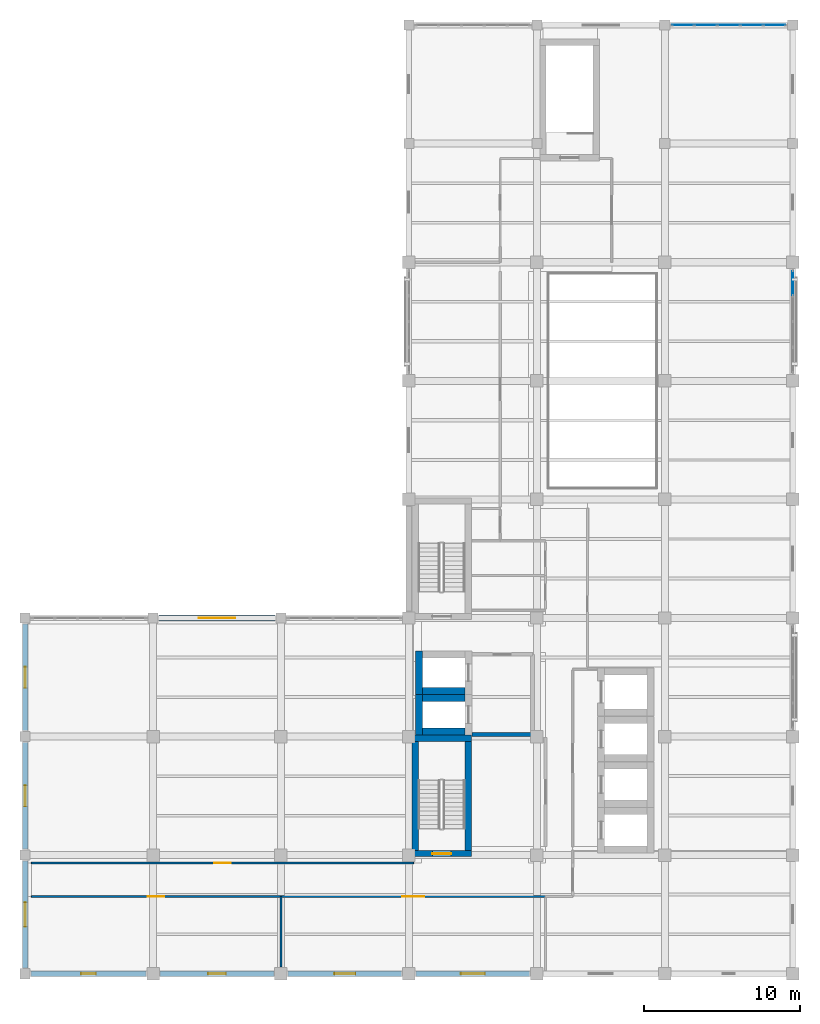
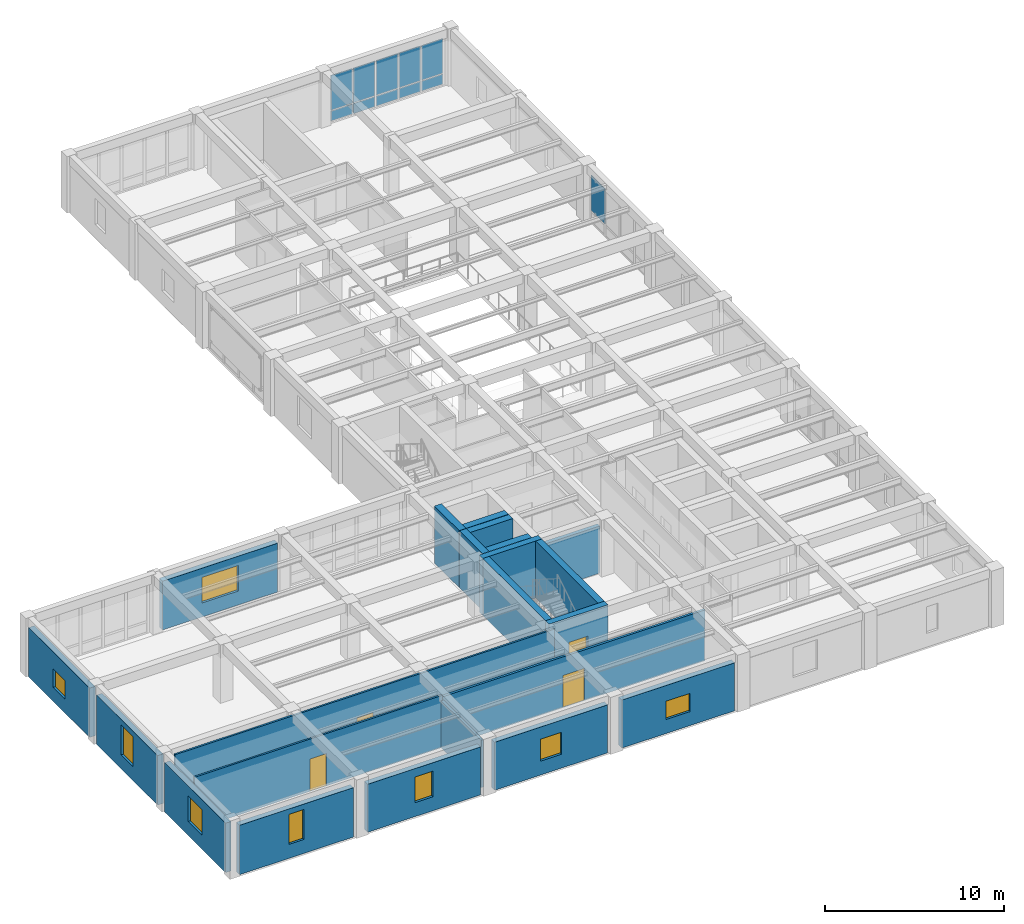
# One storey, part 7 of 15: 22 walls, 11 plates, 8 windows, 4 doors, 12 openings, 2 elements without a shape of their own.
"""IFC4 building model written with IfcOpenShell, lengths in metres."""

from ifc_helpers import new_model, si_unit, direction, frame, frame_2d, origin, origin_2d, place, context, subcontext, project, spatial, rectangle, extrude, material, layer, layer_set, type_object, element, fill, aggregate, save


model = new_model("IFC4")

# Units and contexts
model_context = context("Model", 3, precision=1e-05, world=origin(), true_north=direction((0.0, 1.0)))
body_context = subcontext(model_context, "Body", "Model", "MODEL_VIEW")
ifc_project = project(units=[si_unit("LENGTHUNIT", "METRE"), si_unit("AREAUNIT", "SQUARE_METRE"), si_unit("VOLUMEUNIT", "CUBIC_METRE"), si_unit("PLANEANGLEUNIT", "RADIAN"), si_unit("MASSUNIT", "GRAM", prefix="KILO")], contexts=[model_context])

# Site, building, storey
site_placement = place(None, origin())
site = spatial("IfcSite", under=ifc_project, at=site_placement, CompositionType="ELEMENT")
building_placement = place(site_placement, origin())
building = spatial("IfcBuilding", under=site, at=building_placement, Name="Qandaris Square Conservatory and Botanical Centre", CompositionType="ELEMENT")
storey_placement = place(building_placement, frame((0.0, 0.0, 32.39990234375)))
storey = spatial("IfcBuildingStorey", under=building, at=storey_placement, Name="L07", CompositionType="ELEMENT", Elevation=32.39990234375)

# Curtain wall, plate
ifc_material_1 = material(Name="Anodised Aluminium", Category="aluminium")
curtain_wall_type_1 = type_object("IfcCurtainWallType", Name="Unitised Curtain Wall CW-4-660x329", PredefinedType="USERDEFINED", material=ifc_material_1)
curtain_wall_1_placement = place(storey_placement, origin())
curtain_wall_1 = element("IfcCurtainWall", 1, at=curtain_wall_1_placement, inside=storey, type_object=curtain_wall_type_1, Name="Curtain Wall CW-TWR-L07-2-6", ObjectType="GLAZED CURTAIN WALL", PredefinedType="USERDEFINED")
ifc_material_2 = material(Name="Tempered Low-E Glass", Category="glass")
ifc_layer_1 = layer(ifc_material_2, 0.035888671875)
ifc_layer_set_1 = layer_set([ifc_layer_1], Name="Tempered Low-E Glass")
plate_type = type_object("IfcPlateType", Name="Double-Glazed Solar Control Vision Unit 36mm", PredefinedType="CURTAIN_PANEL", material=ifc_layer_set_1)
plate_1_placement = place(storey_placement, frame((163.800048828125, 60.858642578125, 0.822265625), z_axis=(0.0, 0.0, 1.0), x_axis=(0.0, 1.0, 0.0)))
plate_1 = element("IfcPlate", 2, at=plate_1_placement, type_object=plate_type, Name="CW-4-660x329 panel 4.2", PredefinedType="CURTAIN_PANEL", context=body_context, shape_type="SweptSolid", body=[
    extrude(rectangle(XDim=1.552490234375, YDim=0.035888671875, at=origin_2d()), origin(), (0.0, 0.0, 1.0), 2.40283203125),
])
aggregate(curtain_wall_1, [plate_1])

# Curtain wall, plates
curtain_wall_type_2 = type_object("IfcCurtainWallType", Name="Unitised Curtain Wall CW-3-735x324", PredefinedType="USERDEFINED", material=ifc_material_1)
curtain_wall_2_placement = place(storey_placement, origin())
curtain_wall_2 = element("IfcCurtainWall", 3, at=curtain_wall_2_placement, inside=storey, type_object=curtain_wall_type_2, Name="Curtain Wall CW-TWR-L07-3-1", ObjectType="GLAZED CURTAIN WALL", PredefinedType="USERDEFINED")
plate_2_placement = place(storey_placement, frame((162.623779296875, 77.39990234375, 0.06494140625), z_axis=(0.0, 0.0, 1.0), x_axis=(-1.0, 0.0, 0.0)))
plate_2 = element("IfcPlate", 4, at=plate_2_placement, type_object=plate_type, Name="CW-3-735x324 panel 1.1", PredefinedType="CURTAIN_PANEL", context=body_context, shape_type="SweptSolid", body=[
    extrude(rectangle(XDim=1.37255859375, YDim=0.035888671875, at=origin_2d()), origin(), (0.0, 0.0, 1.0), 0.68017578125),
])
plate_3_placement = place(storey_placement, frame((162.623779296875, 77.39990234375, 0.81005859375), z_axis=(0.0, 0.0, 1.0), x_axis=(-1.0, 0.0, 0.0)))
plate_3 = element("IfcPlate", 5, at=plate_3_placement, type_object=plate_type, Name="CW-3-735x324 panel 1.2", PredefinedType="CURTAIN_PANEL", context=body_context, shape_type="SweptSolid", body=[
    extrude(rectangle(XDim=1.37255859375, YDim=0.035888671875, at=origin_2d()), origin(), (0.0, 0.0, 1.0), 2.364990234375),
])
plate_4_placement = place(storey_placement, frame((161.169921875, 77.39990234375, 0.06494140625), z_axis=(0.0, 0.0, 1.0), x_axis=(-1.0, 0.0, 0.0)))
plate_4 = element("IfcPlate", 6, at=plate_4_placement, type_object=plate_type, Name="CW-3-735x324 panel 2.1", PredefinedType="CURTAIN_PANEL", context=body_context, shape_type="SweptSolid", body=[
    extrude(rectangle(XDim=1.405029296875, YDim=0.035888671875, at=origin_2d()), origin(), (0.0, 0.0, 1.0), 0.68017578125),
])
plate_5_placement = place(storey_placement, frame((161.169921875, 77.39990234375, 0.81005859375), z_axis=(0.0, 0.0, 1.0), x_axis=(-1.0, 0.0, 0.0)))
plate_5 = element("IfcPlate", 7, at=plate_5_placement, type_object=plate_type, Name="CW-3-735x324 panel 2.2", PredefinedType="CURTAIN_PANEL", context=body_context, shape_type="SweptSolid", body=[
    extrude(rectangle(XDim=1.405029296875, YDim=0.035888671875, at=origin_2d()), origin(), (0.0, 0.0, 1.0), 2.364990234375),
])
plate_6_placement = place(storey_placement, frame((159.699951171875, 77.39990234375, 0.06494140625), z_axis=(0.0, 0.0, 1.0), x_axis=(-1.0, 0.0, 0.0)))
plate_6 = element("IfcPlate", 8, at=plate_6_placement, type_object=plate_type, Name="CW-3-735x324 panel 3.1", PredefinedType="CURTAIN_PANEL", context=body_context, shape_type="SweptSolid", body=[
    extrude(rectangle(XDim=1.405029296875, YDim=0.035888671875, at=origin_2d()), origin(), (0.0, 0.0, 1.0), 0.68017578125),
])
plate_7_placement = place(storey_placement, frame((159.699951171875, 77.39990234375, 0.81005859375), z_axis=(0.0, 0.0, 1.0), x_axis=(-1.0, 0.0, 0.0)))
plate_7 = element("IfcPlate", 9, at=plate_7_placement, type_object=plate_type, Name="CW-3-735x324 panel 3.2", PredefinedType="CURTAIN_PANEL", context=body_context, shape_type="SweptSolid", body=[
    extrude(rectangle(XDim=1.405029296875, YDim=0.035888671875, at=origin_2d()), origin(), (0.0, 0.0, 1.0), 2.364990234375),
])
plate_8_placement = place(storey_placement, frame((158.22998046875, 77.39990234375, 0.06494140625), z_axis=(0.0, 0.0, 1.0), x_axis=(-1.0, 0.0, 0.0)))
plate_8 = element("IfcPlate", 10, at=plate_8_placement, type_object=plate_type, Name="CW-3-735x324 panel 4.1", PredefinedType="CURTAIN_PANEL", context=body_context, shape_type="SweptSolid", body=[
    extrude(rectangle(XDim=1.405029296875, YDim=0.035888671875, at=origin_2d()), origin(), (0.0, 0.0, 1.0), 0.68017578125),
])
plate_9_placement = place(storey_placement, frame((158.22998046875, 77.39990234375, 0.81005859375), z_axis=(0.0, 0.0, 1.0), x_axis=(-1.0, 0.0, 0.0)))
plate_9 = element("IfcPlate", 11, at=plate_9_placement, type_object=plate_type, Name="CW-3-735x324 panel 4.2", PredefinedType="CURTAIN_PANEL", context=body_context, shape_type="SweptSolid", body=[
    extrude(rectangle(XDim=1.405029296875, YDim=0.035888671875, at=origin_2d()), origin(), (0.0, 0.0, 1.0), 2.364990234375),
])
plate_10_placement = place(storey_placement, frame((156.7763671875, 77.39990234375, 0.06494140625), z_axis=(0.0, 0.0, 1.0), x_axis=(-1.0, 0.0, 0.0)))
plate_10 = element("IfcPlate", 12, at=plate_10_placement, type_object=plate_type, Name="CW-3-735x324 panel 5.1", PredefinedType="CURTAIN_PANEL", context=body_context, shape_type="SweptSolid", body=[
    extrude(rectangle(XDim=1.37255859375, YDim=0.035888671875, at=origin_2d()), origin(), (0.0, 0.0, 1.0), 0.68017578125),
])
plate_11_placement = place(storey_placement, frame((156.7763671875, 77.39990234375, 0.81005859375), z_axis=(0.0, 0.0, 1.0), x_axis=(-1.0, 0.0, 0.0)))
plate_11 = element("IfcPlate", 13, at=plate_11_placement, type_object=plate_type, Name="CW-3-735x324 panel 5.2", PredefinedType="CURTAIN_PANEL", context=body_context, shape_type="SweptSolid", body=[
    extrude(rectangle(XDim=1.37255859375, YDim=0.035888671875, at=origin_2d()), origin(), (0.0, 0.0, 1.0), 2.364990234375),
])
aggregate(curtain_wall_2, [plate_2, plate_3, plate_4, plate_5, plate_6, plate_7, plate_8, plate_9, plate_10, plate_11])

# Wall, opening, door
ifc_material_3 = material(Name="Gypsum Plasterboard", Category="gypsum")
ifc_layer_2 = layer(ifc_material_3, 0.14990234375)
ifc_layer_set_2 = layer_set([ifc_layer_2], Name="Gypsum Plasterboard")
wall_type_1 = type_object("IfcWallType", Name="Acoustic Laboratory Partition 150mm", PredefinedType="PARTITIONING", material=ifc_layer_set_2)
wall_1_placement = place(storey_placement, frame((147.949951171875, 21.550048828125, 0.0), z_axis=(0.0, 0.0, 1.0), x_axis=(-1.0, 0.0, 0.0)))
wall_1 = element("IfcWall", 14, at=wall_1_placement, inside=storey, type_object=wall_type_1, Name="Interior Partition IW-L07-0276", PredefinedType="PARTITIONING", context=body_context, shape_type="SweptSolid", body=[
    extrude(rectangle(XDim=16.949951171875, YDim=0.14990234375, at=frame_2d((8.47509765625, 0.0))), origin(), (0.0, 0.0, 1.0), 3.465087890625),
])
opening_1_placement = place(wall_1_placement, frame((7.77490234375, 0.0, 0.0)))
opening_1 = element("IfcOpeningElement", 15, at=opening_1_placement, cuts=wall_1, Name="Opening D-LAB1", PredefinedType="OPENING", context=body_context, shape_type="SweptSolid", body=[
    extrude(rectangle(XDim=1.39990234375, YDim=2.199951171875, at=frame_2d((0.699951171875, 1.10009765625))), frame((0.0, 0.0869140625, 0.0), z_axis=(0.0, -1.0, 0.0), x_axis=(1.0, 0.0, 0.0)), (0.0, 0.0, 1.0), 0.173828125),
])
ifc_material_4 = material(Name="Engineered Oak Timber", Category="wood")
door_type_1 = type_object("IfcDoorType", Name="Research Laboratory Leaf-and-Half Door 1400x2200", OperationType="DOUBLE_DOOR_SINGLE_SWING", PredefinedType="DOOR", material=ifc_material_4)
door_1_placement = place(opening_1_placement, frame((1.39990234375, 0.0, 0.0), z_axis=(0.0, 0.0, 1.0), x_axis=(-1.0, 0.0, 0.0)))
door_1 = element("IfcDoor", 16, at=door_1_placement, inside=storey, type_object=door_type_1, Name="DR-0248 Isotope Biogeochemistry Suite Door", OperationType="DOUBLE_DOOR_SINGLE_SWING", OverallHeight=2.199951171875, OverallWidth=1.39990234375, PredefinedType="DOOR", context=body_context, shape_type="SweptSolid", body=[
    extrude(rectangle(XDim=1.39990234375, YDim=2.199951171875, at=frame_2d((0.699951171875, 1.10009765625))), frame((0.0, 0.02490234375, 0.0), z_axis=(0.0, -1.0, 0.0), x_axis=(1.0, 0.0, 0.0)), (0.0, 0.0, 1.0), 0.050048828125),
])
fill(opening_1, door_1)

# Wall
wall_2_placement = place(storey_placement, frame((131.0, 21.550048828125, 0.0), z_axis=(0.0, 0.0, 1.0), x_axis=(0.0, -1.0, 0.0)))
element("IfcWall", 17, at=wall_2_placement, inside=storey, type_object=wall_type_1, Name="Interior Partition IW-L07-0289", PredefinedType="PARTITIONING", context=body_context, shape_type="SweptSolid", body=[
    extrude(rectangle(XDim=4.530029296875, YDim=0.14990234375, at=frame_2d((2.26513671875, 0.0))), origin(), (0.0, 0.0, 1.0), 3.22509765625),
])

# Wall, opening, window
ifc_material_5 = material(Name="Precast concrete C40/50", Category="concrete")
ifc_layer_3 = layer(ifc_material_5, 0.360107421875)
ifc_layer_set_3 = layer_set([ifc_layer_3], Name="Precast concrete C40/50")
wall_type_2 = type_object("IfcWallType", Name="Architectural Precast Cladding Wall 360mm", PredefinedType="SOLIDWALL", material=ifc_layer_set_3)
wall_3_placement = place(storey_placement, frame((114.985107421875, 16.60009765625, 0.0), z_axis=(0.0, 0.0, 1.0), x_axis=(1.0, 0.0, 0.0)))
wall_3 = element("IfcWall", 18, at=wall_3_placement, inside=storey, type_object=wall_type_2, Name="Exterior Wall EW-TWR-L07-1-1", PredefinedType="SOLIDWALL", context=body_context, shape_type="SweptSolid", body=[
    extrude(rectangle(XDim=7.35498046875, YDim=0.360107421875, at=frame_2d((3.677490234375, 0.0))), origin(), (0.0, 0.0, 1.0), 3.3701171875),
])
opening_2_placement = place(wall_3_placement, frame((3.202392578125, 0.0, 0.949951171875)))
opening_2 = element("IfcOpeningElement", 19, at=opening_2_placement, cuts=wall_3, Name="Opening WN-16", PredefinedType="OPENING", context=body_context, shape_type="SweptSolid", body=[
    extrude(rectangle(XDim=0.949951171875, YDim=2.050048828125, at=frame_2d((0.47509765625, 1.02490234375))), frame((0.0, 0.19189453125, 0.0), z_axis=(0.0, -1.0, 0.0), x_axis=(1.0, 0.0, 0.0)), (0.0, 0.0, 1.0), 0.384033203125),
])
window_type_1 = type_object("IfcWindowType", Name="Solar Control Window 950x2050", PartitioningType="SINGLE_PANEL", PredefinedType="WINDOW", material=ifc_material_2)
window_1_placement = place(opening_2_placement, origin())
window_1 = element("IfcWindow", 20, at=window_1_placement, inside=storey, type_object=window_type_1, Name="Window EW-TWR-L07-1-1", OverallHeight=2.050048828125, OverallWidth=0.949951171875, PartitioningType="SINGLE_PANEL", PredefinedType="WINDOW", context=body_context, shape_type="SweptSolid", body=[
    extrude(rectangle(XDim=0.949951171875, YDim=2.050048828125, at=frame_2d((0.47509765625, 1.02490234375))), frame((0.0, 0.030029296875, 0.0), z_axis=(0.0, -1.0, 0.0), x_axis=(1.0, 0.0, 0.0)), (0.0, 0.0, 1.0), 0.06005859375),
])
fill(opening_2, window_1)

wall_4_placement = place(storey_placement, frame((123.260009765625, 16.60009765625, 0.0), z_axis=(0.0, 0.0, 1.0), x_axis=(1.0, 0.0, 0.0)))
wall_4 = element("IfcWall", 21, at=wall_4_placement, inside=storey, type_object=wall_type_2, Name="Exterior Wall EW-TWR-L07-1-2", PredefinedType="SOLIDWALL", context=body_context, shape_type="SweptSolid", body=[
    extrude(rectangle(XDim=7.280029296875, YDim=0.360107421875, at=frame_2d((3.64013671875, 0.0))), origin(), (0.0, 0.0, 1.0), 3.275146484375),
])
opening_3_placement = place(wall_4_placement, frame((3.06494140625, 0.0, 0.949951171875)))
opening_3 = element("IfcOpeningElement", 22, at=opening_3_placement, cuts=wall_4, Name="Opening WN-19", PredefinedType="OPENING", context=body_context, shape_type="SweptSolid", body=[
    extrude(rectangle(XDim=1.14990234375, YDim=1.75, at=frame_2d((0.574951171875, 0.875))), frame((0.0, 0.19189453125, 0.0), z_axis=(0.0, -1.0, 0.0), x_axis=(1.0, 0.0, 0.0)), (0.0, 0.0, 1.0), 0.384033203125),
])
window_type_2 = type_object("IfcWindowType", Name="Solar Control Window 1150x1750", PartitioningType="SINGLE_PANEL", PredefinedType="WINDOW", material=ifc_material_2)
window_2_placement = place(opening_3_placement, origin())
window_2 = element("IfcWindow", 23, at=window_2_placement, inside=storey, type_object=window_type_2, Name="Window EW-TWR-L07-1-2", OverallHeight=1.75, OverallWidth=1.14990234375, PartitioningType="SINGLE_PANEL", PredefinedType="WINDOW", context=body_context, shape_type="SweptSolid", body=[
    extrude(rectangle(XDim=1.14990234375, YDim=1.75, at=frame_2d((0.574951171875, 0.875))), frame((0.0, 0.030029296875, 0.0), z_axis=(0.0, -1.0, 0.0), x_axis=(1.0, 0.0, 0.0)), (0.0, 0.0, 1.0), 0.06005859375),
])
fill(opening_3, window_2)

wall_5_placement = place(storey_placement, frame((131.4599609375, 16.60009765625, 0.0), z_axis=(0.0, 0.0, 1.0), x_axis=(1.0, 0.0, 0.0)))
wall_5 = element("IfcWall", 24, at=wall_5_placement, inside=storey, type_object=wall_type_2, Name="Exterior Wall EW-TWR-L07-1-3", PredefinedType="SOLIDWALL", context=body_context, shape_type="SweptSolid", body=[
    extrude(rectangle(XDim=7.280029296875, YDim=0.360107421875, at=frame_2d((3.64013671875, 0.0))), origin(), (0.0, 0.0, 1.0), 3.275146484375),
])
opening_4_placement = place(wall_5_placement, frame((2.965087890625, 0.0, 0.949951171875)))
opening_4 = element("IfcOpeningElement", 25, at=opening_4_placement, cuts=wall_5, Name="Opening WN-22", PredefinedType="OPENING", context=body_context, shape_type="SweptSolid", body=[
    extrude(rectangle(XDim=1.35009765625, YDim=1.5, at=frame_2d((0.675048828125, 0.75))), frame((0.0, 0.19189453125, 0.0), z_axis=(0.0, -1.0, 0.0), x_axis=(1.0, 0.0, 0.0)), (0.0, 0.0, 1.0), 0.384033203125),
])
window_type_3 = type_object("IfcWindowType", Name="Solar Control Window 1350x1500", PartitioningType="SINGLE_PANEL", PredefinedType="WINDOW", material=ifc_material_2)
window_3_placement = place(opening_4_placement, origin())
window_3 = element("IfcWindow", 26, at=window_3_placement, inside=storey, type_object=window_type_3, Name="Window EW-TWR-L07-1-3", OverallHeight=1.5, OverallWidth=1.35009765625, PartitioningType="SINGLE_PANEL", PredefinedType="WINDOW", context=body_context, shape_type="SweptSolid", body=[
    extrude(rectangle(XDim=1.35009765625, YDim=1.5, at=frame_2d((0.675048828125, 0.75))), frame((0.0, 0.030029296875, 0.0), z_axis=(0.0, -1.0, 0.0), x_axis=(1.0, 0.0, 0.0)), (0.0, 0.0, 1.0), 0.06005859375),
])
fill(opening_4, window_3)

wall_6_placement = place(storey_placement, frame((139.659912109375, 16.60009765625, 0.0), z_axis=(0.0, 0.0, 1.0), x_axis=(1.0, 0.0, 0.0)))
wall_6 = element("IfcWall", 27, at=wall_6_placement, inside=storey, type_object=wall_type_2, Name="Exterior Wall EW-TWR-L07-1-4", PredefinedType="SOLIDWALL", context=body_context, shape_type="SweptSolid", body=[
    extrude(rectangle(XDim=7.280029296875, YDim=0.360107421875, at=frame_2d((3.64013671875, 0.0))), origin(), (0.0, 0.0, 1.0), 3.275146484375),
])
opening_5_placement = place(wall_6_placement, frame((2.864990234375, 0.0, 0.949951171875)))
opening_5 = element("IfcOpeningElement", 28, at=opening_5_placement, cuts=wall_6, Name="Opening WN-25", PredefinedType="OPENING", context=body_context, shape_type="SweptSolid", body=[
    extrude(rectangle(XDim=1.550048828125, YDim=1.25, at=frame_2d((0.77490234375, 0.625))), frame((0.0, 0.19189453125, 0.0), z_axis=(0.0, -1.0, 0.0), x_axis=(1.0, 0.0, 0.0)), (0.0, 0.0, 1.0), 0.384033203125),
])
window_type_4 = type_object("IfcWindowType", Name="Solar Control Window 1550x1250", PartitioningType="DOUBLE_PANEL_VERTICAL", PredefinedType="WINDOW", material=ifc_material_2)
window_4_placement = place(opening_5_placement, origin())
window_4 = element("IfcWindow", 29, at=window_4_placement, inside=storey, type_object=window_type_4, Name="Window EW-TWR-L07-1-4", OverallHeight=1.25, OverallWidth=1.550048828125, PartitioningType="DOUBLE_PANEL_VERTICAL", PredefinedType="WINDOW", context=body_context, shape_type="SweptSolid", body=[
    extrude(rectangle(XDim=1.550048828125, YDim=1.25, at=frame_2d((0.77490234375, 0.625))), frame((0.0, 0.030029296875, 0.0), z_axis=(0.0, -1.0, 0.0), x_axis=(1.0, 0.0, 0.0)), (0.0, 0.0, 1.0), 0.06005859375),
])
fill(opening_5, window_4)

wall_7_placement = place(storey_placement, frame((130.614990234375, 39.39990234375, 0.0), z_axis=(0.0, 0.0, 1.0), x_axis=(-1.0, 0.0, 0.0)))
wall_7 = element("IfcWall", 30, at=wall_7_placement, inside=storey, type_object=wall_type_2, Name="Exterior Wall EW-TWR-L07-5-2", PredefinedType="SOLIDWALL", context=body_context, shape_type="SweptSolid", body=[
    extrude(rectangle(XDim=7.429931640625, YDim=0.360107421875, at=frame_2d((3.71484375, 0.0))), origin(), (0.0, 0.0, 1.0), 3.330078125),
])
opening_6_placement = place(wall_7_placement, frame((2.5400390625, 0.0, 0.949951171875)))
opening_6 = element("IfcOpeningElement", 31, at=opening_6_placement, cuts=wall_7, Name="Opening WN-39", PredefinedType="OPENING", context=body_context, shape_type="SweptSolid", body=[
    extrude(rectangle(XDim=2.35009765625, YDim=1.75, at=frame_2d((1.175048828125, 0.875))), frame((0.0, 0.19189453125, 0.0), z_axis=(0.0, -1.0, 0.0), x_axis=(1.0, 0.0, 0.0)), (0.0, 0.0, 1.0), 0.384033203125),
])
window_type_5 = type_object("IfcWindowType", Name="Solar Control Window 2350x1750", PartitioningType="DOUBLE_PANEL_VERTICAL", PredefinedType="WINDOW", material=ifc_material_2)
window_5_placement = place(opening_6_placement, origin())
window_5 = element("IfcWindow", 32, at=window_5_placement, inside=storey, type_object=window_type_5, Name="Window EW-TWR-L07-5-2", OverallHeight=1.75, OverallWidth=2.35009765625, PartitioningType="DOUBLE_PANEL_VERTICAL", PredefinedType="WINDOW", context=body_context, shape_type="SweptSolid", body=[
    extrude(rectangle(XDim=2.35009765625, YDim=1.75, at=frame_2d((1.175048828125, 0.875))), frame((0.0, 0.030029296875, 0.0), z_axis=(0.0, -1.0, 0.0), x_axis=(1.0, 0.0, 0.0)), (0.0, 0.0, 1.0), 0.06005859375),
])
fill(opening_6, window_5)

wall_8_placement = place(storey_placement, frame((114.60009765625, 39.014892578125, 0.0), z_axis=(0.0, 0.0, 1.0), x_axis=(0.0, -1.0, 0.0)))
wall_8 = element("IfcWall", 33, at=wall_8_placement, inside=storey, type_object=wall_type_2, Name="Exterior Wall EW-TWR-L07-6-1", PredefinedType="SOLIDWALL", context=body_context, shape_type="SweptSolid", body=[
    extrude(rectangle(XDim=6.829833984375, YDim=0.360107421875, at=frame_2d((3.4150390625, 0.0))), origin(), (0.0, 0.0, 1.0), 3.3701171875),
])
opening_7_placement = place(wall_8_placement, frame((2.739990234375, 0.0, 0.949951171875)))
opening_7 = element("IfcOpeningElement", 34, at=opening_7_placement, cuts=wall_8, Name="Opening WN-21", PredefinedType="OPENING", context=body_context, shape_type="SweptSolid", body=[
    extrude(rectangle(XDim=1.35009765625, YDim=1.25, at=frame_2d((0.675048828125, 0.625))), frame((0.0, 0.19189453125, 0.0), z_axis=(0.0, -1.0, 0.0), x_axis=(1.0, 0.0, 0.0)), (0.0, 0.0, 1.0), 0.384033203125),
])
window_type_6 = type_object("IfcWindowType", Name="Solar Control Window 1350x1250", PartitioningType="SINGLE_PANEL", PredefinedType="WINDOW", material=ifc_material_2)
window_6_placement = place(opening_7_placement, origin())
window_6 = element("IfcWindow", 35, at=window_6_placement, inside=storey, type_object=window_type_6, Name="Window EW-TWR-L07-6-1", OverallHeight=1.25, OverallWidth=1.35009765625, PartitioningType="SINGLE_PANEL", PredefinedType="WINDOW", context=body_context, shape_type="SweptSolid", body=[
    extrude(rectangle(XDim=1.35009765625, YDim=1.25, at=frame_2d((0.675048828125, 0.625))), frame((0.0, 0.030029296875, 0.0), z_axis=(0.0, -1.0, 0.0), x_axis=(1.0, 0.0, 0.0)), (0.0, 0.0, 1.0), 0.06005859375),
])
fill(opening_7, window_6)

wall_9_placement = place(storey_placement, frame((114.60009765625, 31.4150390625, 0.0), z_axis=(0.0, 0.0, 1.0), x_axis=(0.0, -1.0, 0.0)))
wall_9 = element("IfcWall", 36, at=wall_9_placement, inside=storey, type_object=wall_type_2, Name="Exterior Wall EW-TWR-L07-6-2", PredefinedType="SOLIDWALL", context=body_context, shape_type="SweptSolid", body=[
    extrude(rectangle(XDim=6.830078125, YDim=0.360107421875, at=frame_2d((3.4150390625, 0.0))), origin(), (0.0, 0.0, 1.0), 3.3701171875),
])
opening_8_placement = place(wall_9_placement, frame((2.739990234375, 0.0, 0.949951171875)))
opening_8 = element("IfcOpeningElement", 37, at=opening_8_placement, cuts=wall_9, Name="Opening WN-24", PredefinedType="OPENING", context=body_context, shape_type="SweptSolid", body=[
    extrude(rectangle(XDim=1.35009765625, YDim=2.050048828125, at=frame_2d((0.675048828125, 1.02490234375))), frame((0.0, 0.19189453125, 0.0), z_axis=(0.0, -1.0, 0.0), x_axis=(1.0, 0.0, 0.0)), (0.0, 0.0, 1.0), 0.384033203125),
])
window_type_7 = type_object("IfcWindowType", Name="Solar Control Window 1350x2050", PartitioningType="SINGLE_PANEL", PredefinedType="WINDOW", material=ifc_material_2)
window_7_placement = place(opening_8_placement, origin())
window_7 = element("IfcWindow", 38, at=window_7_placement, inside=storey, type_object=window_type_7, Name="Window EW-TWR-L07-6-2", OverallHeight=2.050048828125, OverallWidth=1.35009765625, PartitioningType="SINGLE_PANEL", PredefinedType="WINDOW", context=body_context, shape_type="SweptSolid", body=[
    extrude(rectangle(XDim=1.35009765625, YDim=2.050048828125, at=frame_2d((0.675048828125, 1.02490234375))), frame((0.0, 0.030029296875, 0.0), z_axis=(0.0, -1.0, 0.0), x_axis=(1.0, 0.0, 0.0)), (0.0, 0.0, 1.0), 0.06005859375),
])
fill(opening_8, window_7)

wall_10_placement = place(storey_placement, frame((114.60009765625, 23.81494140625, 0.0), z_axis=(0.0, 0.0, 1.0), x_axis=(0.0, -1.0, 0.0)))
wall_10 = element("IfcWall", 39, at=wall_10_placement, inside=storey, type_object=wall_type_2, Name="Exterior Wall EW-TWR-L07-6-3", PredefinedType="SOLIDWALL", context=body_context, shape_type="SweptSolid", body=[
    extrude(rectangle(XDim=6.829833984375, YDim=0.360107421875, at=frame_2d((3.4150390625, 0.0))), origin(), (0.0, 0.0, 1.0), 3.3701171875),
])
opening_9_placement = place(wall_10_placement, frame((2.639892578125, 0.0, 0.949951171875)))
opening_9 = element("IfcOpeningElement", 40, at=opening_9_placement, cuts=wall_10, Name="Opening WN-27", PredefinedType="OPENING", context=body_context, shape_type="SweptSolid", body=[
    extrude(rectangle(XDim=1.550048828125, YDim=1.75, at=frame_2d((0.77490234375, 0.875))), frame((0.0, 0.19189453125, 0.0), z_axis=(0.0, -1.0, 0.0), x_axis=(1.0, 0.0, 0.0)), (0.0, 0.0, 1.0), 0.384033203125),
])
window_type_8 = type_object("IfcWindowType", Name="Solar Control Window 1550x1750", PartitioningType="DOUBLE_PANEL_VERTICAL", PredefinedType="WINDOW", material=ifc_material_2)
window_8_placement = place(opening_9_placement, origin())
window_8 = element("IfcWindow", 41, at=window_8_placement, inside=storey, type_object=window_type_8, Name="Window EW-TWR-L07-6-3", OverallHeight=1.75, OverallWidth=1.550048828125, PartitioningType="DOUBLE_PANEL_VERTICAL", PredefinedType="WINDOW", context=body_context, shape_type="SweptSolid", body=[
    extrude(rectangle(XDim=1.550048828125, YDim=1.75, at=frame_2d((0.77490234375, 0.875))), frame((0.0, 0.030029296875, 0.0), z_axis=(0.0, -1.0, 0.0), x_axis=(1.0, 0.0, 0.0)), (0.0, 0.0, 1.0), 0.06005859375),
])
fill(opening_9, window_8)

# Walls
ifc_material_6 = material(Name="Concrete C40/50", Category="concrete")
ifc_layer_4 = layer(ifc_material_6, 0.25)
ifc_layer_set_4 = layer_set([ifc_layer_4], Name="Concrete C40/50")
wall_type_3 = type_object("IfcWallType", Name="Firefighting Lobby Compartment Wall 250mm", PredefinedType="SOLIDWALL", material=ifc_layer_set_4)
wall_11_placement = place(storey_placement, frame((143.25, 31.925048828125, 0.0), z_axis=(0.0, 0.0, 1.0), x_axis=(1.0, 0.0, 0.0)))
element("IfcWall", 42, at=wall_11_placement, inside=storey, type_object=wall_type_3, Name="Firefighting Lobby Wall South (L07)", PredefinedType="SOLIDWALL", context=body_context, shape_type="SweptSolid", body=[
    extrude(rectangle(XDim=3.875, YDim=0.25, at=frame_2d((1.9375, 0.0))), origin(), (0.0, 0.0, 1.0), 3.22509765625),
])
ifc_material_7 = material(Name="Concrete C50/60", Category="concrete")
ifc_layer_5 = layer(ifc_material_7, 0.449951171875)
ifc_layer_set_5 = layer_set([ifc_layer_5], Name="Concrete C50/60")
wall_type_4 = type_object("IfcWallType", Name="RC Coupled Core Shear Wall 450mm", PredefinedType="SHEAR", material=ifc_layer_set_5)
for number, where, z_axis, x_axis, name in (
    (43, (140.06005859375, 32.135009765625, 0.0), (0.0, 0.0, 1.0), (1.0, 0.0, 0.0), "Lift FFL1 Shaft Wall South (L07)"),
    (44, (140.06005859375, 34.264892578125, 0.0), (0.0, 0.0, 1.0), (1.0, 0.0, 0.0), "Lift FFL1 Shaft Wall North (L07)"),
):
    element("IfcWall", number, at=place(storey_placement, frame(where, z_axis=z_axis, x_axis=x_axis)), inside=storey, type_object=wall_type_4, Name=name, PredefinedType="SHEAR", context=body_context, shape_type="SweptSolid", body=[
        extrude(rectangle(XDim=2.739990234375, YDim=0.449951171875, at=frame_2d((1.3701171875, 0.0))), origin(), (0.0, 0.0, 1.0), 3.89013671875),
    ])
wall_12_placement = place(storey_placement, frame((139.8349609375, 31.909912109375, 0.0), z_axis=(0.0, 0.0, 1.0), x_axis=(0.0, 1.0, 0.0)))
element("IfcWall", 45, at=wall_12_placement, inside=storey, type_object=wall_type_4, Name="Lift FFL1 Shaft Wall West (L07)", PredefinedType="SHEAR", context=body_context, shape_type="SweptSolid", body=[
    extrude(rectangle(XDim=2.580078125, YDim=0.449951171875, at=frame_2d((1.2900390625, 0.0))), origin(), (0.0, 0.0, 1.0), 3.89013671875),
])
wall_13_placement = place(storey_placement, frame((140.06005859375, 34.735107421875, 0.0), z_axis=(0.0, 0.0, 1.0), x_axis=(1.0, 0.0, 0.0)))
element("IfcWall", 46, at=wall_13_placement, inside=storey, type_object=wall_type_4, Name="Lift FFL2 Shaft Wall South (L07)", PredefinedType="SHEAR", context=body_context, shape_type="SweptSolid", body=[
    extrude(rectangle(XDim=2.739990234375, YDim=0.449951171875, at=frame_2d((1.3701171875, 0.0))), origin(), (0.0, 0.0, 1.0), 3.89013671875),
])
wall_14_placement = place(storey_placement, frame((139.8349609375, 34.510009765625, 0.0), z_axis=(0.0, 0.0, 1.0), x_axis=(0.0, 1.0, 0.0)))
element("IfcWall", 47, at=wall_14_placement, inside=storey, type_object=wall_type_4, Name="Lift FFL2 Shaft Wall West (L07)", PredefinedType="SHEAR", context=body_context, shape_type="SweptSolid", body=[
    extrude(rectangle(XDim=2.780029296875, YDim=0.449951171875, at=frame_2d((1.39013671875, 0.0))), origin(), (0.0, 0.0, 1.0), 3.89013671875),
])

# Wall, opening, door
ifc_layer_6 = layer(ifc_material_7, 0.39990234375)
ifc_layer_set_6 = layer_set([ifc_layer_6], Name="Concrete C50/60")
wall_type_5 = type_object("IfcWallType", Name="RC Stair Core Shear Wall 400mm", PredefinedType="SHEAR", material=ifc_layer_set_6)
wall_15_placement = place(storey_placement, frame((139.39990234375, 24.300048828125, 0.0), z_axis=(0.0, 0.0, 1.0), x_axis=(1.0, 0.0, 0.0)))
wall_15 = element("IfcWall", 48, at=wall_15_placement, inside=storey, type_object=wall_type_5, Name="ST-1 Core Shear Wall South (L07)", PredefinedType="SHEAR", context=body_context, shape_type="SweptSolid", body=[
    extrude(rectangle(XDim=3.800048828125, YDim=0.39990234375, at=frame_2d((1.89990234375, 0.0))), origin(), (0.0, 0.0, 1.0), 3.89013671875),
])
opening_10_placement = place(wall_15_placement, frame((1.300048828125, 0.0, 0.0)))
opening_10 = element("IfcOpeningElement", 49, at=opening_10_placement, cuts=wall_15, Name="Opening D-ST1", PredefinedType="OPENING", context=body_context, shape_type="SweptSolid", body=[
    extrude(rectangle(XDim=1.199951171875, YDim=2.199951171875, at=frame_2d((0.60009765625, 1.10009765625))), frame((0.0, 0.2119140625, 0.0), z_axis=(0.0, -1.0, 0.0), x_axis=(1.0, 0.0, 0.0)), (0.0, 0.0, 1.0), 0.423828125),
])
ifc_material_8 = material(Name="Steel S355", Category="steel")
door_type_2 = type_object("IfcDoorType", Name="Exit Stair Core Fire Door 1200x2200", OperationType="NOTDEFINED", PredefinedType="DOOR", material=ifc_material_8)
door_2_placement = place(opening_10_placement, origin())
door_2 = element("IfcDoor", 50, at=door_2_placement, inside=storey, type_object=door_type_2, Name="DR-0256 ST-1 Stair Core Door (L07)", OperationType="SINGLE_SWING_LEFT", OverallHeight=2.199951171875, OverallWidth=1.199951171875, PredefinedType="DOOR", context=body_context, shape_type="SweptSolid", body=[
    extrude(rectangle(XDim=1.199951171875, YDim=2.199951171875, at=frame_2d((0.60009765625, 1.10009765625))), frame((0.0, 0.02490234375, 0.0), z_axis=(0.0, -1.0, 0.0), x_axis=(1.0, 0.0, 0.0)), (0.0, 0.0, 1.0), 0.050048828125),
])
fill(opening_10, door_2)

# Walls
wall_16_placement = place(storey_placement, frame((139.39990234375, 31.699951171875, 0.0), z_axis=(0.0, 0.0, 1.0), x_axis=(1.0, 0.0, 0.0)))
element("IfcWall", 51, at=wall_16_placement, inside=storey, type_object=wall_type_5, Name="ST-1 Core Shear Wall North (L07)", PredefinedType="SHEAR", context=body_context, shape_type="SweptSolid", body=[
    extrude(rectangle(XDim=3.800048828125, YDim=0.39990234375, at=frame_2d((1.89990234375, 0.0))), origin(), (0.0, 0.0, 1.0), 3.89013671875),
])
for number, where, z_axis, x_axis, name in (
    (52, (139.60009765625, 24.5, 0.0), (0.0, 0.0, 1.0), (0.0, 1.0, 0.0), "ST-1 Core Shear Wall West (L07)"),
    (53, (143.0, 24.5, 0.0), (0.0, 0.0, 1.0), (0.0, 1.0, 0.0), "ST-1 Core Shear Wall East (L07)"),
):
    element("IfcWall", number, at=place(storey_placement, frame(where, z_axis=z_axis, x_axis=x_axis)), inside=storey, type_object=wall_type_5, Name=name, PredefinedType="SHEAR", context=body_context, shape_type="SweptSolid", body=[
        extrude(rectangle(XDim=7.0, YDim=0.39990234375, at=frame_2d((3.5, 0.0))), origin(), (0.0, 0.0, 1.0), 3.89013671875),
    ])

# Wall, opening, door
ifc_layer_7 = layer(ifc_material_3, 0.1201171875)
ifc_layer_set_7 = layer_set([ifc_layer_7], Name="Gypsum Plasterboard")
wall_type_6 = type_object("IfcWallType", Name="Standard Research Partition 120mm", PredefinedType="PARTITIONING", material=ifc_layer_set_7)
wall_17_placement = place(storey_placement, frame((131.0, 21.550048828125, 0.0), z_axis=(0.0, 0.0, 1.0), x_axis=(-1.0, 0.0, 0.0)))
wall_17 = element("IfcWall", 54, at=wall_17_placement, inside=storey, type_object=wall_type_6, Name="Interior Partition IW-L07-0275", PredefinedType="PARTITIONING", context=body_context, shape_type="SweptSolid", body=[
    extrude(rectangle(XDim=16.0, YDim=0.1201171875, at=frame_2d((8.0, 0.0))), origin(), (0.0, 0.0, 1.0), 3.565185546875),
])
opening_11_placement = place(wall_17_placement, frame((7.47509765625, 0.0, 0.0)))
opening_11 = element("IfcOpeningElement", 55, at=opening_11_placement, cuts=wall_17, Name="Opening D-LAB2", PredefinedType="OPENING", context=body_context, shape_type="SweptSolid", body=[
    extrude(rectangle(XDim=1.050048828125, YDim=2.199951171875, at=frame_2d((0.52490234375, 1.10009765625))), frame((0.0, 0.072021484375, 0.0), z_axis=(0.0, -1.0, 0.0), x_axis=(1.0, 0.0, 0.0)), (0.0, 0.0, 1.0), 0.14404296875),
])
door_type_3 = type_object("IfcDoorType", Name="Analytical Laboratory Single Door 1050x2200", OperationType="NOTDEFINED", PredefinedType="DOOR", material=ifc_material_4)
door_3_placement = place(opening_11_placement, origin())
door_3 = element("IfcDoor", 56, at=door_3_placement, inside=storey, type_object=door_type_3, Name="DR-0251 Canopy Microclimate Research Laboratory Door", OperationType="SINGLE_SWING_LEFT", OverallHeight=2.199951171875, OverallWidth=1.050048828125, PredefinedType="DOOR", context=body_context, shape_type="SweptSolid", body=[
    extrude(rectangle(XDim=1.050048828125, YDim=2.199951171875, at=frame_2d((0.52490234375, 1.10009765625))), frame((0.0, 0.02490234375, 0.0), z_axis=(0.0, -1.0, 0.0), x_axis=(1.0, 0.0, 0.0)), (0.0, 0.0, 1.0), 0.050048828125),
])
fill(opening_11, door_3)

wall_18_placement = place(storey_placement, frame((115.0, 23.699951171875, 0.0), z_axis=(0.0, 0.0, 1.0), x_axis=(1.0, 0.0, 0.0)))
wall_18 = element("IfcWall", 57, at=wall_18_placement, inside=storey, type_object=wall_type_6, Name="Interior Partition IW-L07-0277", PredefinedType="PARTITIONING", context=body_context, shape_type="SweptSolid", body=[
    extrude(rectangle(XDim=24.5, YDim=0.1201171875, at=frame_2d((12.25, 0.0))), origin(), (0.0, 0.0, 1.0), 3.80517578125),
])
opening_12_placement = place(wall_18_placement, frame((11.72509765625, 0.0, 0.0)))
opening_12 = element("IfcOpeningElement", 58, at=opening_12_placement, cuts=wall_18, Name="Opening D-LAB2", PredefinedType="OPENING", context=body_context, shape_type="SweptSolid", body=[
    extrude(rectangle(XDim=1.050048828125, YDim=2.199951171875, at=frame_2d((0.52490234375, 1.10009765625))), frame((0.0, 0.072021484375, 0.0), z_axis=(0.0, -1.0, 0.0), x_axis=(1.0, 0.0, 0.0)), (0.0, 0.0, 1.0), 0.14404296875),
])
door_4_placement = place(opening_12_placement, origin())
door_4 = element("IfcDoor", 59, at=door_4_placement, inside=storey, type_object=door_type_3, Name="DR-0252 Bioinformatics Research Laboratory Door", OperationType="SINGLE_SWING_RIGHT", OverallHeight=2.199951171875, OverallWidth=1.050048828125, PredefinedType="DOOR", context=body_context, shape_type="SweptSolid", body=[
    extrude(rectangle(XDim=1.050048828125, YDim=2.199951171875, at=frame_2d((0.52490234375, 1.10009765625))), frame((0.0, 0.02490234375, 0.0), z_axis=(0.0, -1.0, 0.0), x_axis=(1.0, 0.0, 0.0)), (0.0, 0.0, 1.0), 0.050048828125),
])
fill(opening_12, door_4)

save(model, "model.ifc")
